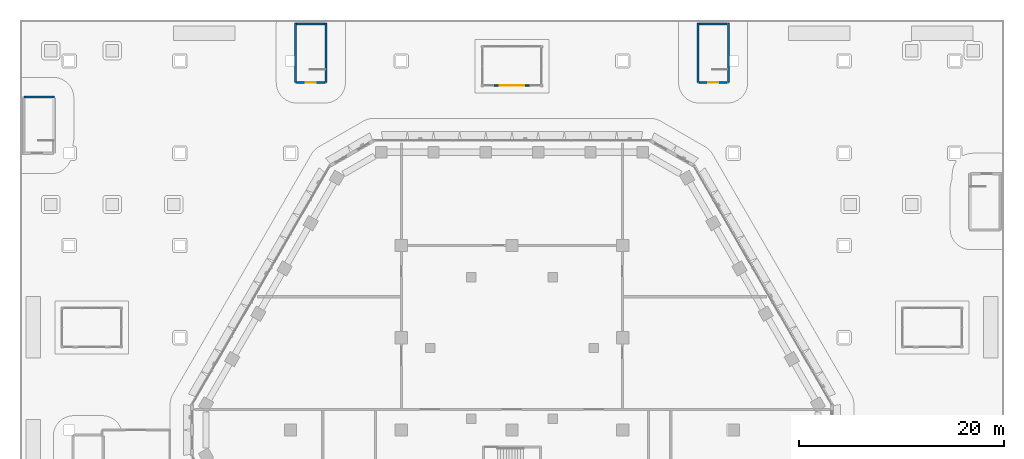
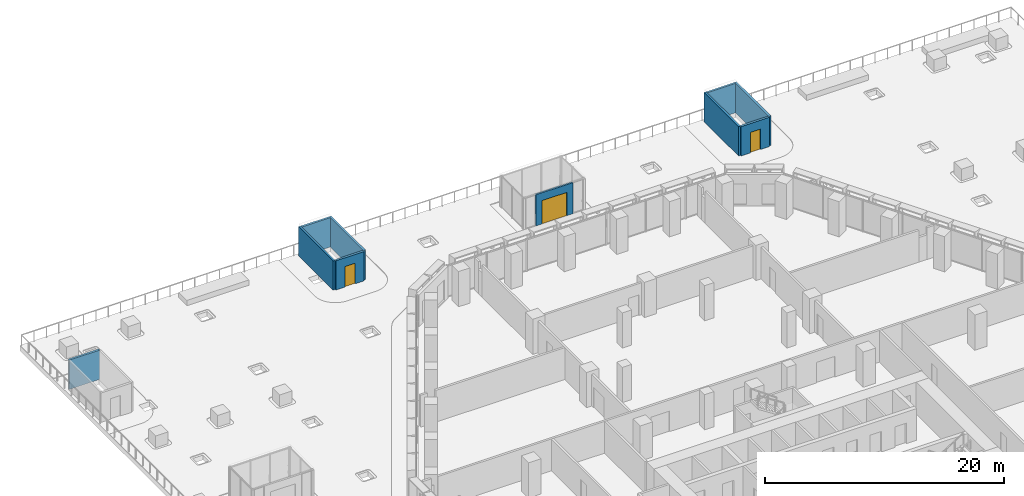
# One storey, part 25 of 38: 10 walls, 3 doors, 3 openings.
"""IFC4 building model written with IfcOpenShell, lengths in metres."""

from ifc_helpers import new_model, si_unit, direction, frame, frame_2d, origin, place, context, subcontext, project, spatial, rectangle, extrude, material, layer, layer_set, type_object, element, fill, save


model = new_model("IFC4")

# Units and contexts
model_context = context("Model", 3, precision=1e-05, world=origin(), true_north=direction((0.0, 1.0)))
body_context = subcontext(model_context, "Body", "Model", "MODEL_VIEW")
ifc_project = project(units=[si_unit("LENGTHUNIT", "METRE"), si_unit("AREAUNIT", "SQUARE_METRE"), si_unit("VOLUMEUNIT", "CUBIC_METRE"), si_unit("PLANEANGLEUNIT", "RADIAN"), si_unit("MASSUNIT", "GRAM", prefix="KILO")], contexts=[model_context])

# Site, building, storey
site_placement = place(None, origin())
site = spatial("IfcSite", under=ifc_project, at=site_placement, CompositionType="ELEMENT")
building_placement = place(site_placement, origin())
building = spatial("IfcBuilding", under=site, at=building_placement, Name="Beryl Residences", CompositionType="ELEMENT")
storey_placement = place(building_placement, frame((0.0, 0.0, 9.0)))
storey = spatial("IfcBuildingStorey", under=building, at=storey_placement, Name="L02", CompositionType="ELEMENT", Elevation=9.0)

# Wall, opening, door
ifc_material_1 = material(Name="Aluminium framed insulated wall", Category="aluminium")
ifc_layer_1 = layer(ifc_material_1, 0.14990234375)
ifc_layer_set_1 = layer_set([ifc_layer_1], Name="GW1 glazed door wall 150 mm")
wall_type_1 = type_object("IfcWallType", Name="GW1 glazed door wall 150 mm", PredefinedType="SOLIDWALL", material=ifc_layer_set_1)
wall_1_placement = place(storey_placement, frame((-1.800048828125, 33.60009765625, 0.0), z_axis=(0.0, 0.0, 1.0), x_axis=(1.0, 0.0, 0.0)))
wall_1 = element("IfcWall", 1, at=wall_1_placement, inside=storey, type_object=wall_type_1, Name="GW1 door wall L02 S", PredefinedType="SOLIDWALL", context=body_context, shape_type="SweptSolid", body=[
    extrude(rectangle(XDim=3.60009765625, YDim=0.14990234375, at=frame_2d((1.800048828125, 0.0))), origin(), (0.0, 0.0, 1.0), 3.199951171875),
])
opening_1_placement = place(wall_1_placement, frame((0.60009765625, 0.0, 0.0)))
opening_1 = element("IfcOpeningElement", 2, at=opening_1_placement, cuts=wall_1, Name="Opening SD1", PredefinedType="OPENING", context=body_context, shape_type="SweptSolid", body=[
    extrude(rectangle(XDim=2.39990234375, YDim=2.39990234375, at=frame_2d((1.199951171875, 1.199951171875))), frame((0.0, 0.0849609375, 0.0), z_axis=(0.0, -1.0, 0.0), x_axis=(1.0, 0.0, 0.0)), (0.0, 0.0, 1.0), 0.169921875),
])
ifc_material_2 = material(Name="Aluminium and clear glass", Category="aluminium")
door_type_1 = type_object("IfcDoorType", Name="SD1 sliding glass door 2400 x 2400 mm", OperationType="SLIDING_TO_LEFT", PredefinedType="DOOR", material=ifc_material_2)
door_1_placement = place(opening_1_placement, origin())
door_1 = element("IfcDoor", 3, at=door_1_placement, inside=storey, type_object=door_type_1, Name="SD1 garden door L02 S", OperationType="SLIDING_TO_LEFT", OverallHeight=2.39990234375, OverallWidth=2.39990234375, PredefinedType="DOOR", context=body_context, shape_type="SweptSolid", body=[
    extrude(rectangle(XDim=2.39990234375, YDim=2.39990234375, at=frame_2d((1.199951171875, 1.199951171875))), frame((0.0, 0.02490234375, 0.0), z_axis=(0.0, -1.0, 0.0), x_axis=(1.0, 0.0, 0.0)), (0.0, 0.0, 1.0), 0.050048828125),
])
fill(opening_1, door_1)

# Wall
ifc_material_3 = material(Name="Concrete C40/50", Category="concrete")
ifc_layer_2 = layer(ifc_material_3, 0.199951171875)
ifc_layer_set_2 = layer_set([ifc_layer_2], Name="PT5 stair enclosure wall 200 mm reinforced concrete C40/50")
wall_type_2 = type_object("IfcWallType", Name="PT5 stair enclosure wall 200 mm reinforced concrete C40/50", PredefinedType="SOLIDWALL", material=ifc_layer_set_2)
wall_2_placement = place(storey_placement, frame((-47.60009765625, 32.5, 0.0), z_axis=(0.0, 0.0, 1.0), x_axis=(1.0, 0.0, 0.0)))
element("IfcWall", 4, at=wall_2_placement, inside=storey, type_object=wall_type_2, Name="Wall PT5 L02 013", PredefinedType="SOLIDWALL", context=body_context, shape_type="SweptSolid", body=[
    extrude(rectangle(XDim=2.9501953125, YDim=0.199951171875, at=frame_2d((1.47509765625, 0.0))), origin(), (0.0, 0.0, 1.0), 3.0),
])

# Wall, opening, door
wall_3_placement = place(storey_placement, frame((-21.0, 33.89990234375, 0.0), z_axis=(0.0, 0.0, 1.0), x_axis=(1.0, 0.0, 0.0)))
wall_3 = element("IfcWall", 5, at=wall_3_placement, inside=storey, type_object=wall_type_2, Name="Wall PT5 L02 014", PredefinedType="SOLIDWALL", context=body_context, shape_type="SweptSolid", body=[
    extrude(rectangle(XDim=2.75, YDim=0.199951171875, at=frame_2d((1.375, 0.0))), origin(), (0.0, 0.0, 1.0), 3.0),
])
opening_2_placement = place(wall_3_placement, frame((1.875, 0.0, 0.0), z_axis=(0.0, 0.0, 1.0), x_axis=(-1.0, 0.0, 0.0)))
opening_2 = element("IfcOpeningElement", 6, at=opening_2_placement, cuts=wall_3, Name="Opening L02-21", PredefinedType="OPENING", context=body_context, shape_type="SweptSolid", body=[
    extrude(rectangle(XDim=1.0, YDim=2.10009765625, at=frame_2d((0.5, 1.050048828125))), frame((0.0, 0.10986328125, 0.0), z_axis=(0.0, -1.0, 0.0), x_axis=(1.0, 0.0, 0.0)), (0.0, 0.0, 1.0), 0.219970703125),
])
ifc_material_4 = material(Name="Steel door leaf in steel frame", Category="steel")
door_type_2 = type_object("IfcDoorType", Name="D15 stair door 1000 x 2100 mm", OperationType="SINGLE_SWING_LEFT", PredefinedType="DOOR", material=ifc_material_4)
door_2_placement = place(opening_2_placement, origin())
door_2 = element("IfcDoor", 7, at=door_2_placement, inside=storey, type_object=door_type_2, Name="Door L02-21 L02 001", OperationType="SINGLE_SWING_RIGHT", OverallHeight=2.10009765625, OverallWidth=1.0, PredefinedType="DOOR", context=body_context, shape_type="SweptSolid", body=[
    extrude(rectangle(XDim=1.0, YDim=2.10009765625, at=frame_2d((0.5, 1.050048828125))), frame((0.0, 0.02490234375, 0.0), z_axis=(0.0, -1.0, 0.0), x_axis=(1.0, 0.0, 0.0)), (0.0, 0.0, 1.0), 0.050048828125),
])
fill(opening_2, door_2)

wall_4_placement = place(storey_placement, frame((18.25, 33.89990234375, 0.0), z_axis=(0.0, 0.0, 1.0), x_axis=(1.0, 0.0, 0.0)))
wall_4 = element("IfcWall", 8, at=wall_4_placement, inside=storey, type_object=wall_type_2, Name="Wall PT5 L02 015", PredefinedType="SOLIDWALL", context=body_context, shape_type="SweptSolid", body=[
    extrude(rectangle(XDim=2.75, YDim=0.199951171875, at=frame_2d((1.375, 0.0))), origin(), (0.0, 0.0, 1.0), 3.0),
])
opening_3_placement = place(wall_4_placement, frame((1.875, 0.0, 0.0), z_axis=(0.0, 0.0, 1.0), x_axis=(-1.0, 0.0, 0.0)))
opening_3 = element("IfcOpeningElement", 9, at=opening_3_placement, cuts=wall_4, Name="Opening L02-22", PredefinedType="OPENING", context=body_context, shape_type="SweptSolid", body=[
    extrude(rectangle(XDim=1.0, YDim=2.10009765625, at=frame_2d((0.5, 1.050048828125))), frame((0.0, 0.10986328125, 0.0), z_axis=(0.0, -1.0, 0.0), x_axis=(1.0, 0.0, 0.0)), (0.0, 0.0, 1.0), 0.219970703125),
])
door_3_placement = place(opening_3_placement, origin())
door_3 = element("IfcDoor", 10, at=door_3_placement, inside=storey, type_object=door_type_2, Name="Door L02-22 L02 001", OperationType="SINGLE_SWING_LEFT", OverallHeight=2.10009765625, OverallWidth=1.0, PredefinedType="DOOR", context=body_context, shape_type="SweptSolid", body=[
    extrude(rectangle(XDim=1.0, YDim=2.10009765625, at=frame_2d((0.5, 1.050048828125))), frame((0.0, 0.02490234375, 0.0), z_axis=(0.0, -1.0, 0.0), x_axis=(1.0, 0.0, 0.0)), (0.0, 0.0, 1.0), 0.050048828125),
])
fill(opening_3, door_3)

# Walls
for number, where, z_axis, x_axis, name in (
    (11, (-21.0, 39.60009765625, 0.0), (0.0, 0.0, 1.0), (1.0, 0.0, 0.0), "Wall PT5 L02 016"),
    (12, (18.25, 39.60009765625, 0.0), (0.0, 0.0, 1.0), (1.0, 0.0, 0.0), "Wall PT5 L02 017"),
):
    element("IfcWall", number, at=place(storey_placement, frame(where, z_axis=z_axis, x_axis=x_axis)), inside=storey, type_object=wall_type_2, Name=name, PredefinedType="SOLIDWALL", context=body_context, shape_type="SweptSolid", body=[
        extrude(rectangle(XDim=2.75, YDim=0.199951171875, at=frame_2d((1.375, 0.0))), origin(), (0.0, 0.0, 1.0), 3.0),
    ])
for number, where, z_axis, x_axis, name in (
    (13, (-21.10009765625, 33.89990234375, 0.0), (0.0, 0.0, 1.0), (0.0, 1.0, 0.0), "Wall PT5 L02 024"),
    (14, (-18.14990234375, 33.89990234375, 0.0), (0.0, 0.0, 1.0), (0.0, 1.0, 0.0), "Wall PT5 L02 025"),
    (15, (18.14990234375, 33.89990234375, 0.0), (0.0, 0.0, 1.0), (0.0, 1.0, 0.0), "Wall PT5 L02 028"),
    (16, (21.10009765625, 33.89990234375, 0.0), (0.0, 0.0, 1.0), (0.0, 1.0, 0.0), "Wall PT5 L02 029"),
):
    element("IfcWall", number, at=place(storey_placement, frame(where, z_axis=z_axis, x_axis=x_axis)), inside=storey, type_object=wall_type_2, Name=name, PredefinedType="SOLIDWALL", context=body_context, shape_type="SweptSolid", body=[
        extrude(rectangle(XDim=5.800048828125, YDim=0.199951171875, at=frame_2d((2.89990234375, 0.0))), origin(), (0.0, 0.0, 1.0), 3.0),
    ])

save(model, "model.ifc")
